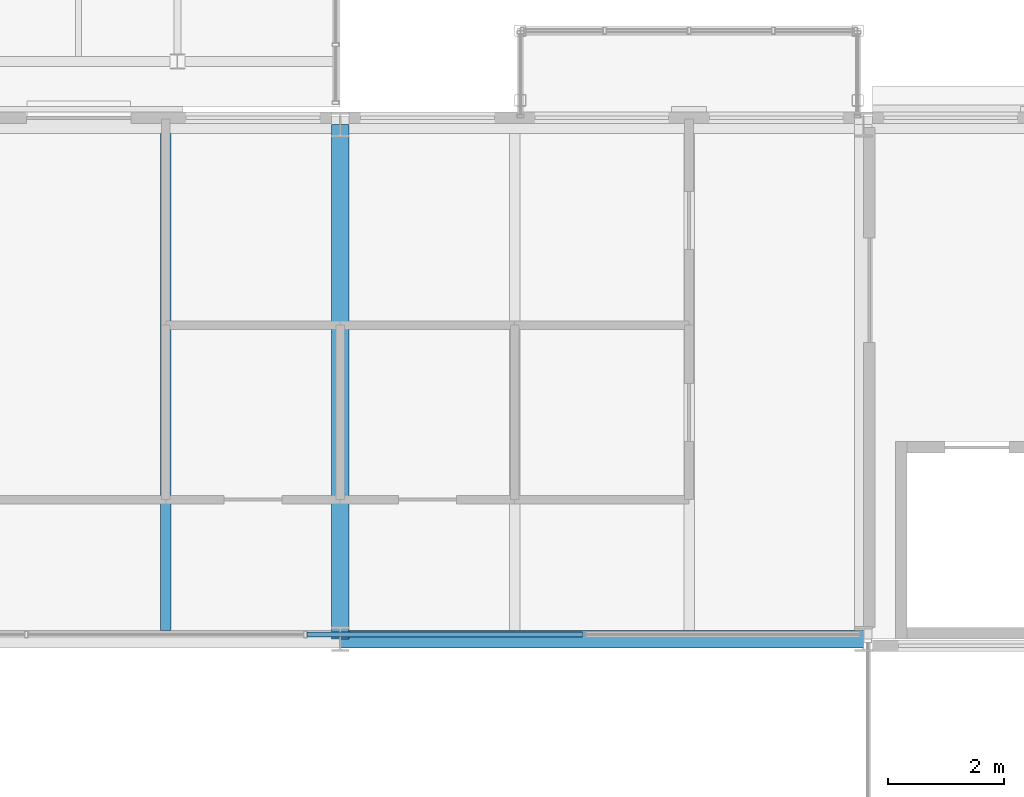
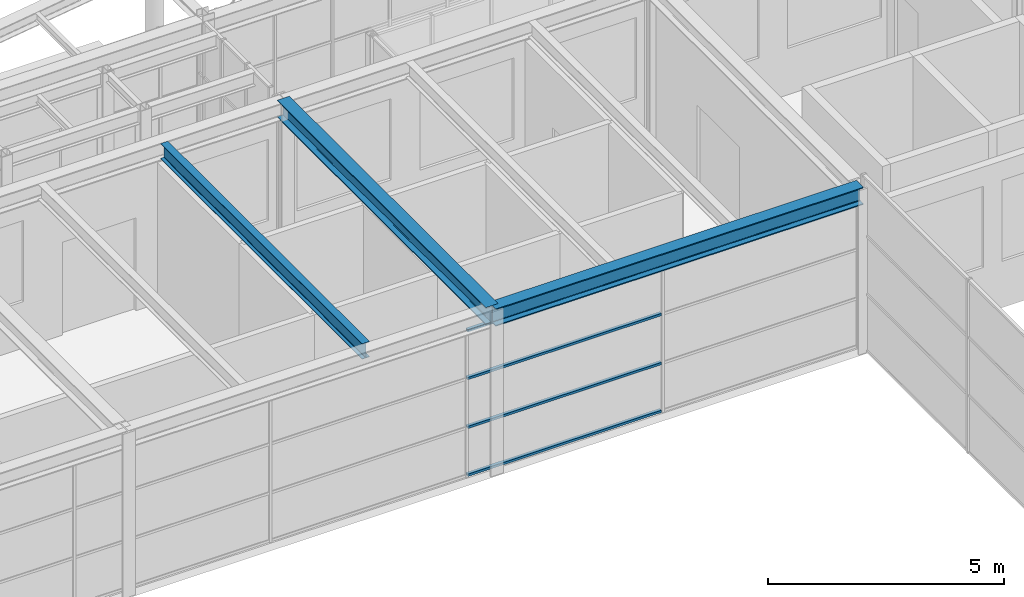
# One storey, part 29 of 70: 4 members, 3 beams, 1 element without a shape of its own.
"""IFC4 building model written with IfcOpenShell, lengths in metres."""

from ifc_helpers import new_model, si_unit, direction, frame, origin, origin_2d, place, context, subcontext, project, spatial, hollow_rectangle, i_section, extrude, material, material_profile, profile_set, type_object, element, aggregate, save


model = new_model("IFC4")

# Units and contexts
model_context = context("Model", 3, precision=1e-05, world=origin(), true_north=direction((0.0, 1.0)))
body_context = subcontext(model_context, "Body", "Model", "MODEL_VIEW")
ifc_project = project(units=[si_unit("LENGTHUNIT", "METRE"), si_unit("AREAUNIT", "SQUARE_METRE"), si_unit("VOLUMEUNIT", "CUBIC_METRE"), si_unit("PLANEANGLEUNIT", "RADIAN"), si_unit("MASSUNIT", "GRAM", prefix="KILO")], contexts=[model_context])

# Site, building, storey
site_placement = place(None, origin())
site = spatial("IfcSite", under=ifc_project, at=site_placement, CompositionType="ELEMENT")
building_placement = place(site_placement, origin())
building = spatial("IfcBuilding", under=site, at=building_placement, Name="Kallimachos Central Library", CompositionType="ELEMENT")
storey_placement = place(building_placement, frame((0.0, 0.0, 18.89990234375)))
storey = spatial("IfcBuildingStorey", under=building, at=storey_placement, Name="L04", CompositionType="ELEMENT", Elevation=18.89990234375)

# Curtain wall, members
ifc_material_1 = material(Name="Aluminium and laminated glass", Category="aluminium")
curtain_wall_type = type_object("IfcCurtainWallType", Name="Atrium glazed screen", PredefinedType="NOTDEFINED", material=ifc_material_1)
curtain_wall_placement = place(storey_placement, origin())
curtain_wall = element("IfcCurtainWall", 1, at=curtain_wall_placement, inside=storey, type_object=curtain_wall_type, Name="L04 atrium screen N", PredefinedType="NOTDEFINED")
ifc_material_2 = material(Name="Anodised aluminium", Category="aluminium")
ifc_material_profile_1 = material_profile(ifc_material_2, hollow_rectangle(XDim=0.06005859375, YDim=0.080078125, WallThickness=0.00390625, at=origin_2d()), Name="ALU TRANSOM 60x80")
ifc_profile_set_1 = profile_set([ifc_material_profile_1], Name="Anodised aluminium")
member_type = type_object("IfcMemberType", Name="Atrium screen transom", PredefinedType="USERDEFINED", material=ifc_profile_set_1)
member_1_placement = place(storey_placement, frame((91.929931640625, 75.080078125, 0.030029296875), z_axis=(1.0, 0.0, 0.0), x_axis=(0.0, 0.0, 1.0)))
member_1 = element("IfcMember", 2, at=member_1_placement, type_object=member_type, Name="CW transom 4.1", ObjectType="TRANSOM", PredefinedType="USERDEFINED", context=body_context, shape_type="SweptSolid", body=[
    extrude(hollow_rectangle(XDim=0.06005859375, YDim=0.080078125, WallThickness=0.00390625, at=origin_2d()), origin(), (0.0, 0.0, 1.0), 4.739990234375),
])
member_2_placement = place(storey_placement, frame((91.929931640625, 75.080078125, 1.266845703125), z_axis=(1.0, 0.0, 0.0), x_axis=(0.0, 0.0, 1.0)))
member_2 = element("IfcMember", 3, at=member_2_placement, type_object=member_type, Name="CW transom 4.2", ObjectType="TRANSOM", PredefinedType="USERDEFINED", context=body_context, shape_type="SweptSolid", body=[
    extrude(hollow_rectangle(XDim=0.06005859375, YDim=0.080078125, WallThickness=0.00390625, at=origin_2d()), origin(), (0.0, 0.0, 1.0), 4.739990234375),
])
member_3_placement = place(storey_placement, frame((91.929931640625, 75.080078125, 2.533447265625), z_axis=(1.0, 0.0, 0.0), x_axis=(0.0, 0.0, 1.0)))
member_3 = element("IfcMember", 4, at=member_3_placement, type_object=member_type, Name="CW transom 4.3", ObjectType="TRANSOM", PredefinedType="USERDEFINED", context=body_context, shape_type="SweptSolid", body=[
    extrude(hollow_rectangle(XDim=0.06005859375, YDim=0.080078125, WallThickness=0.00390625, at=origin_2d()), origin(), (0.0, 0.0, 1.0), 4.739990234375),
])
member_4_placement = place(storey_placement, frame((91.929931640625, 75.080078125, 3.77001953125), z_axis=(1.0, 0.0, 0.0), x_axis=(0.0, 0.0, 1.0)))
member_4 = element("IfcMember", 5, at=member_4_placement, type_object=member_type, Name="CW transom 4.4", ObjectType="TRANSOM", PredefinedType="USERDEFINED", context=body_context, shape_type="SweptSolid", body=[
    extrude(hollow_rectangle(XDim=0.06005859375, YDim=0.080078125, WallThickness=0.00390625, at=origin_2d()), origin(), (0.0, 0.0, 1.0), 4.739990234375),
])
aggregate(curtain_wall, [member_1, member_2, member_3, member_4])

# Beams
ifc_material_3 = material(Name="Steel S355J2", Category="steel")
ifc_material_profile_2 = material_profile(ifc_material_3, i_section(OverallWidth=0.300048828125, OverallDepth=0.449951171875, WebThickness=0.013916015625, FlangeThickness=0.02587890625, FilletRadius=0.027099609375, at=origin_2d()), Name="HEB 450")
ifc_profile_set_2 = profile_set([ifc_material_profile_2], Name="Steel S355J2")
beam_type_1 = type_object("IfcBeamType", Name="HEB 450 beam", PredefinedType="BEAM", material=ifc_profile_set_2)
beam_1_placement = place(storey_placement, frame((92.5, 75.0, 4.025146484375), z_axis=(1.0, 0.0, 0.0), x_axis=(0.0, 1.0, 0.0)))
element("IfcBeam", 6, at=beam_1_placement, inside=storey, type_object=beam_type_1, Name="V4-BEM-L04-003", PredefinedType="BEAM", context=body_context, shape_type="SweptSolid", body=[
    extrude(i_section(OverallWidth=0.300048828125, OverallDepth=0.449951171875, WebThickness=0.013916015625, FlangeThickness=0.02587890625, FilletRadius=0.027099609375, at=origin_2d()), origin(), (0.0, 0.0, 1.0), 9.0),
])
beam_2_placement = place(storey_placement, frame((92.5, 75.0, 4.025146484375), z_axis=(0.0, 1.0, 0.0), x_axis=(-1.0, 0.0, 0.0)))
element("IfcBeam", 7, at=beam_2_placement, inside=storey, type_object=beam_type_1, Name="V4-BEM-L04-012", PredefinedType="BEAM", context=body_context, shape_type="SweptSolid", body=[
    extrude(i_section(OverallWidth=0.300048828125, OverallDepth=0.449951171875, WebThickness=0.013916015625, FlangeThickness=0.02587890625, FilletRadius=0.027099609375, at=origin_2d()), origin(), (0.0, 0.0, 1.0), 8.85009765625),
])
ifc_material_4 = material(Name="Steel S355J2", Category="steel")
ifc_material_profile_3 = material_profile(ifc_material_4, i_section(OverallWidth=0.179931640625, OverallDepth=0.39990234375, WebThickness=0.008544921875, FlangeThickness=0.013427734375, FilletRadius=0.02099609375, at=origin_2d()), Name="IPE 400")
ifc_profile_set_3 = profile_set([ifc_material_profile_3], Name="Steel S355J2")
beam_type_2 = type_object("IfcBeamType", Name="IPE 400 beam", PredefinedType="BEAM", material=ifc_profile_set_3)
beam_3_placement = place(storey_placement, frame((89.5, 75.14990234375, 4.050048828125), z_axis=(0.0, 1.0, 0.0), x_axis=(-1.0, 0.0, 0.0)))
element("IfcBeam", 8, at=beam_3_placement, inside=storey, type_object=beam_type_2, Name="V4-BEM-L04-018", PredefinedType="BEAM", context=body_context, shape_type="SweptSolid", body=[
    extrude(i_section(OverallWidth=0.179931640625, OverallDepth=0.39990234375, WebThickness=0.008544921875, FlangeThickness=0.013427734375, FilletRadius=0.02099609375, at=origin_2d()), origin(), (0.0, 0.0, 1.0), 8.550048828125),
])

save(model, "model.ifc")
